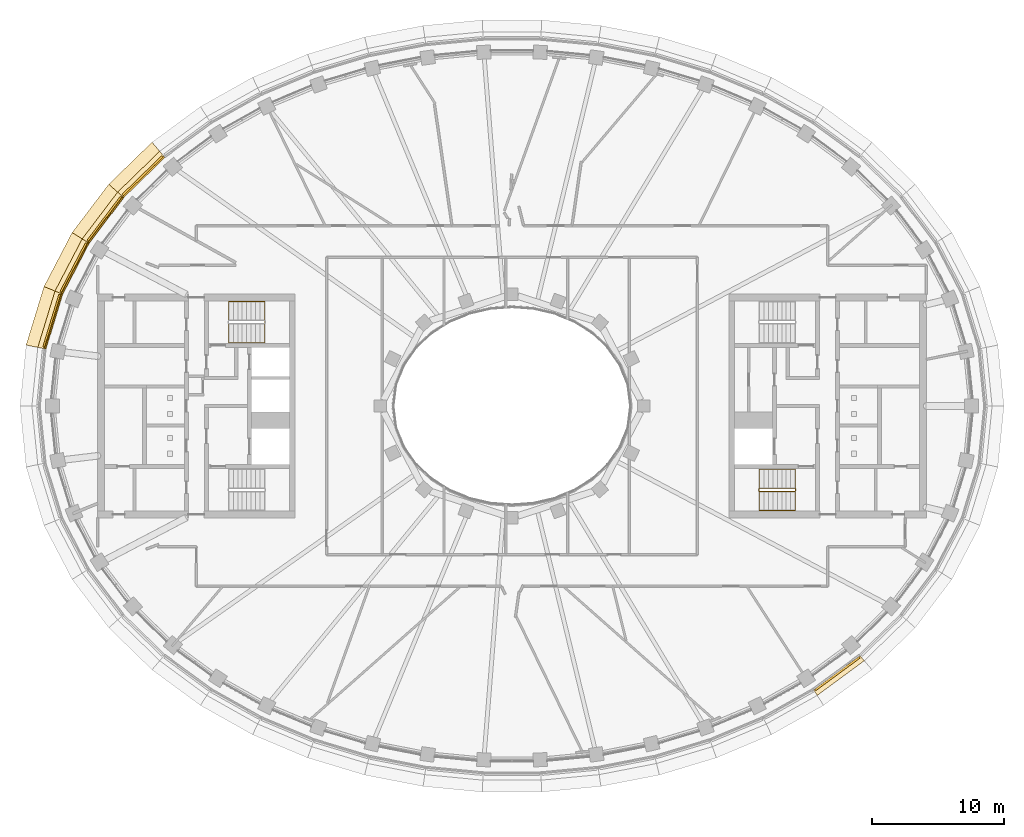
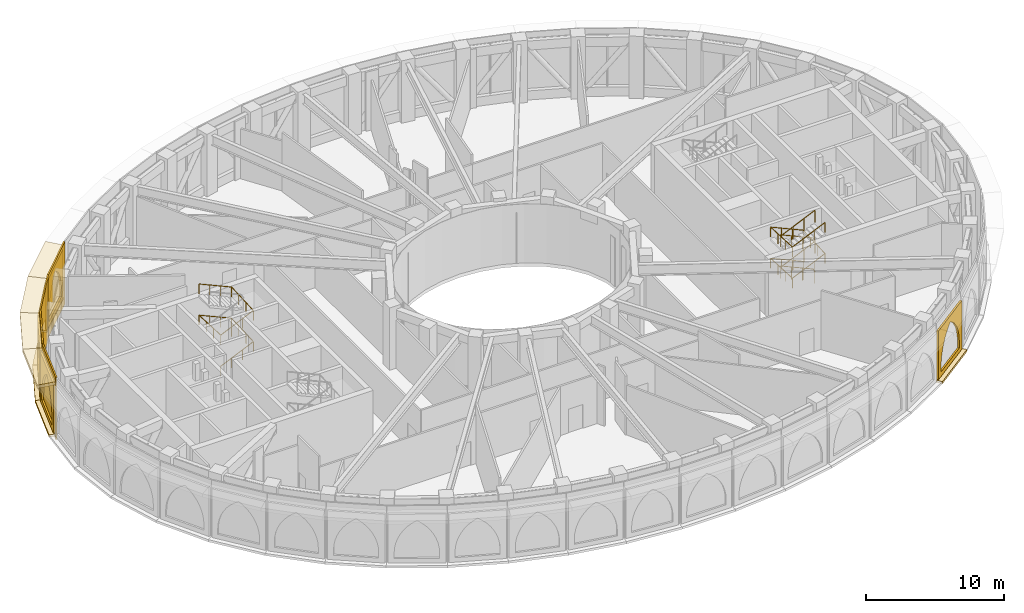
# One storey, part 20 of 23: 18 coverings, 3 railings.
"""IFC4 building model written with IfcOpenShell, lengths in metres."""

from ifc_helpers import new_model, si_unit, direction, frame, origin, origin_2d, place, context, subcontext, project, spatial, polyline, rectangle, outline, extrude, material, layer, layer_set, type_object, element, save


model = new_model("IFC4")

# Units and contexts
model_context = context("Model", 3, precision=1e-05, world=origin(), true_north=direction((0.0, 1.0)))
body_context = subcontext(model_context, "Body", "Model", "MODEL_VIEW")
ifc_project = project(units=[si_unit("LENGTHUNIT", "METRE"), si_unit("AREAUNIT", "SQUARE_METRE"), si_unit("VOLUMEUNIT", "CUBIC_METRE"), si_unit("PLANEANGLEUNIT", "RADIAN"), si_unit("MASSUNIT", "GRAM", prefix="KILO")], contexts=[model_context])

# Site, building, storey
site_placement = place(None, origin())
site = spatial("IfcSite", under=ifc_project, at=site_placement, CompositionType="ELEMENT")
building_placement = place(site_placement, origin())
building = spatial("IfcBuilding", under=site, at=building_placement, Name="Noorbagh Ring Tower", CompositionType="ELEMENT")
storey_placement = place(building_placement, frame((0.0, 0.0, 285.5)))
storey = spatial("IfcBuildingStorey", under=building, at=storey_placement, Name="L61", CompositionType="ELEMENT", Elevation=285.5)

# Railings
ifc_material_1 = material(Name="Stainless steel", Category="steel")
railing_type_1 = type_object("IfcRailingType", Name="CORE-STAIR-GUARD", PredefinedType="GUARDRAIL", material=ifc_material_1)
railing_1_placement = place(storey_placement, frame((21.580078125, -6.300048828125, 0.0)))
element("IfcRailing", 1, at=railing_1_placement, inside=storey, type_object=railing_type_1, Name="L61 ST4 stair guard", PredefinedType="GUARDRAIL", context=body_context, shape_type="SweptSolid", body=[
    extrude(rectangle(XDim=0.048095703125, YDim=0.048095703125, at=origin_2d()), frame((0.0, 0.0, 1.076171875), z_axis=(0.0, -1.0, 0.0), x_axis=(1.0, 0.0, 0.0)), (0.0, 0.0, 1.0), 0.14990234375),
    extrude(rectangle(XDim=0.048095703125, YDim=0.048095703125, at=origin_2d()), frame((0.0, -0.14990234375, 1.076171875), z_axis=(-0.195046945594, 0.779236333862, 0.595606770449), x_axis=(-0.970072785993, -0.242814311512, 0.0)), (0.0, 0.0, 1.0), 0.256591796875),
    extrude(rectangle(XDim=0.048095703125, YDim=0.048095703125, at=origin_2d()), frame((-0.050048828125, 0.050048828125, 1.22900390625), z_axis=(-0.912149621895, 0.0, 0.409857374312), x_axis=(0.0, -1.0, 0.0)), (0.0, 0.0, 1.0), 2.98193359375),
    extrude(rectangle(XDim=0.048095703125, YDim=0.048095703125, at=origin_2d()), frame((-2.77001953125, 0.050048828125, 2.451171875), z_axis=(-0.707106781187, -0.707106781187, 0.0), x_axis=(0.707106781187, -0.707106781187, 0.0)), (0.0, 0.0, 1.0), 0.07080078125),
    extrude(rectangle(XDim=0.048095703125, YDim=0.048095703125, at=origin_2d()), frame((-2.820068359375, 0.0, 2.451171875), z_axis=(0.0, -1.0, 0.0), x_axis=(1.0, 0.0, 0.0)), (0.0, 0.0, 1.0), 0.14990234375),
    extrude(rectangle(XDim=0.048095703125, YDim=0.048095703125, at=origin_2d()), frame((-2.820068359375, -0.14990234375, 2.451171875), z_axis=(0.297155754911, -0.297155754911, 0.90741220768), x_axis=(0.707106781187, 0.707106781187, 0.0)), (0.0, 0.0, 1.0), 0.16845703125),
    extrude(rectangle(XDim=0.048095703125, YDim=0.048095703125, at=origin_2d()), frame((-2.77001953125, -0.199951171875, 2.60400390625), z_axis=(0.912149621895, 0.0, 0.409857374312), x_axis=(0.0, 1.0, 0.0)), (0.0, 0.0, 1.0), 2.98193359375),
    extrude(rectangle(XDim=0.048095703125, YDim=0.048095703125, at=origin_2d()), frame((-0.050048828125, -0.199951171875, 3.826171875), z_axis=(0.242814311512, 0.970072785993, 0.0), x_axis=(-0.970072785993, 0.242814311512, 0.0)), (0.0, 0.0, 1.0), 0.2060546875),
    extrude(rectangle(XDim=0.048095703125, YDim=0.048095703125, at=origin_2d()), frame((0.0, 0.0, 3.826171875), z_axis=(0.0, -1.0, 0.0), x_axis=(1.0, 0.0, 0.0)), (0.0, 0.0, 1.0), 0.14990234375),
    extrude(rectangle(XDim=0.048095703125, YDim=0.048095703125, at=origin_2d()), frame((0.0, -0.14990234375, 3.826171875), z_axis=(-0.195046945594, 0.779236333862, 0.595606770449), x_axis=(-0.970072785993, -0.242814311512, 0.0)), (0.0, 0.0, 1.0), 0.256591796875),
    extrude(rectangle(XDim=0.048095703125, YDim=0.048095703125, at=origin_2d()), frame((-0.050048828125, 0.050048828125, 3.97900390625), z_axis=(-0.912149621895, 0.0, 0.409857374312), x_axis=(0.0, -1.0, 0.0)), (0.0, 0.0, 1.0), 2.98193359375),
    extrude(rectangle(XDim=0.048095703125, YDim=0.048095703125, at=origin_2d()), frame((-2.77001953125, 0.050048828125, 5.201171875), z_axis=(-0.707106781187, -0.707106781187, 0.0), x_axis=(0.707106781187, -0.707106781187, 0.0)), (0.0, 0.0, 1.0), 0.07080078125),
    extrude(rectangle(XDim=0.048095703125, YDim=0.048095703125, at=origin_2d()), frame((-2.820068359375, 0.0, 5.201171875), z_axis=(0.0, -1.0, 0.0), x_axis=(1.0, 0.0, 0.0)), (0.0, 0.0, 1.0), 0.14990234375),
    extrude(rectangle(XDim=0.048095703125, YDim=0.048095703125, at=origin_2d()), frame((-2.820068359375, -0.14990234375, 5.201171875), z_axis=(0.297155754911, -0.297155754911, 0.90741220768), x_axis=(0.707106781187, 0.707106781187, 0.0)), (0.0, 0.0, 1.0), 0.16845703125),
    extrude(rectangle(XDim=0.048095703125, YDim=0.048095703125, at=origin_2d()), frame((-2.77001953125, -0.199951171875, 5.35400390625), z_axis=(0.912149621895, 0.0, 0.409857374312), x_axis=(0.0, 1.0, 0.0)), (0.0, 0.0, 1.0), 2.98193359375),
    extrude(rectangle(XDim=0.0419921875, YDim=0.0419921875, at=origin_2d()), origin(), (0.0, 0.0, 1.0), 1.052001953125),
    extrude(rectangle(XDim=0.0419921875, YDim=0.0419921875, at=origin_2d()), frame((-0.956787109375, 0.050048828125, 0.560302734375)), (0.0, 0.0, 1.0), 1.052001953125),
    extrude(rectangle(XDim=0.0419921875, YDim=0.0419921875, at=origin_2d()), frame((-1.86328125, 0.050048828125, 0.967529296875)), (0.0, 0.0, 1.0), 1.052001953125),
    extrude(rectangle(XDim=0.0419921875, YDim=0.0419921875, at=origin_2d()), frame((-2.77001953125, 0.050048828125, 1.375)), (0.0, 0.0, 1.0), 1.052001953125),
    extrude(rectangle(XDim=0.0419921875, YDim=0.0419921875, at=origin_2d()), frame((-1.86328125, -0.199951171875, 1.935302734375)), (0.0, 0.0, 1.0), 1.052001953125),
    extrude(rectangle(XDim=0.0419921875, YDim=0.0419921875, at=origin_2d()), frame((-0.956787109375, -0.199951171875, 2.342529296875)), (0.0, 0.0, 1.0), 1.052001953125),
    extrude(rectangle(XDim=0.0419921875, YDim=0.0419921875, at=origin_2d()), frame((-0.050048828125, -0.199951171875, 2.75)), (0.0, 0.0, 1.0), 1.052001953125),
    extrude(rectangle(XDim=0.0419921875, YDim=0.0419921875, at=origin_2d()), frame((-0.956787109375, 0.050048828125, 3.310302734375)), (0.0, 0.0, 1.0), 1.052001953125),
    extrude(rectangle(XDim=0.0419921875, YDim=0.0419921875, at=origin_2d()), frame((-1.86328125, 0.050048828125, 3.717529296875)), (0.0, 0.0, 1.0), 1.052001953125),
    extrude(rectangle(XDim=0.0419921875, YDim=0.0419921875, at=origin_2d()), frame((-2.77001953125, 0.050048828125, 4.125)), (0.0, 0.0, 1.0), 1.052001953125),
    extrude(rectangle(XDim=0.0419921875, YDim=0.0419921875, at=origin_2d()), frame((-1.86328125, -0.199951171875, 4.685302734375)), (0.0, 0.0, 1.0), 1.052001953125),
    extrude(rectangle(XDim=0.0419921875, YDim=0.0419921875, at=origin_2d()), frame((-0.956787109375, -0.199951171875, 5.092529296875)), (0.0, 0.0, 1.0), 1.052001953125),
    extrude(rectangle(XDim=0.0419921875, YDim=0.0419921875, at=origin_2d()), frame((-0.050048828125, -0.199951171875, 5.5)), (0.0, 0.0, 1.0), 1.052001953125),
])
ifc_material_2 = material(Name="Stainless steel", Category="steel")
railing_type_2 = type_object("IfcRailingType", Name="CORE-STAIR-HANDRAIL", PredefinedType="HANDRAIL", material=ifc_material_2)
railing_2_placement = place(storey_placement, frame((-21.530029296875, 4.800048828125, 0.15283203125)))
element("IfcRailing", 2, at=railing_2_placement, inside=storey, type_object=railing_type_2, Name="L61 ST1 stair handrail", PredefinedType="HANDRAIL", context=body_context, shape_type="SweptSolid", body=[
    extrude(rectangle(XDim=0.048095703125, YDim=0.048095703125, at=origin_2d()), frame((0.0, 0.0, 0.8759765625), z_axis=(0.912149621895, 0.0, 0.409857374312), x_axis=(0.0, 1.0, 0.0)), (0.0, 0.0, 1.0), 2.98193359375),
    extrude(rectangle(XDim=0.048095703125, YDim=0.048095703125, at=origin_2d()), frame((2.719970703125, 0.0, 2.09814453125), z_axis=(0.0, 0.998824997948, 0.048462598722), x_axis=(-1.0, 0.0, 0.0)), (0.0, 0.0, 1.0), 3.153564453125),
    extrude(rectangle(XDim=0.048095703125, YDim=0.048095703125, at=origin_2d()), frame((2.719970703125, 3.14990234375, 2.2509765625), z_axis=(-0.912149621895, 0.0, 0.409857374312), x_axis=(0.0, -1.0, 0.0)), (0.0, 0.0, 1.0), 2.98193359375),
    extrude(rectangle(XDim=0.048095703125, YDim=0.048095703125, at=origin_2d()), frame((0.0, 3.14990234375, 3.47314453125), z_axis=(0.0, -0.998824997948, 0.048462598722), x_axis=(1.0, 0.0, 0.0)), (0.0, 0.0, 1.0), 3.153564453125),
    extrude(rectangle(XDim=0.048095703125, YDim=0.048095703125, at=origin_2d()), frame((0.0, 0.0, 3.6259765625), z_axis=(0.912149621895, 0.0, 0.409857374312), x_axis=(0.0, 1.0, 0.0)), (0.0, 0.0, 1.0), 2.98193359375),
    extrude(rectangle(XDim=0.048095703125, YDim=0.048095703125, at=origin_2d()), frame((2.719970703125, 0.0, 4.84814453125), z_axis=(0.0, 0.998824997948, 0.048462598722), x_axis=(-1.0, 0.0, 0.0)), (0.0, 0.0, 1.0), 3.153564453125),
    extrude(rectangle(XDim=0.048095703125, YDim=0.048095703125, at=origin_2d()), frame((2.719970703125, 3.14990234375, 5.0009765625), z_axis=(-0.912149621895, 0.0, 0.409857374312), x_axis=(0.0, -1.0, 0.0)), (0.0, 0.0, 1.0), 2.98193359375),
    extrude(rectangle(XDim=0.0419921875, YDim=0.0419921875, at=origin_2d()), origin(), (0.0, 0.0, 1.0), 0.851806640625),
    extrude(rectangle(XDim=0.0419921875, YDim=0.0419921875, at=origin_2d()), frame((0.90673828125, 0.0, 0.407470703125)), (0.0, 0.0, 1.0), 0.851806640625),
    extrude(rectangle(XDim=0.0419921875, YDim=0.0419921875, at=origin_2d()), frame((1.813232421875, 0.0, 0.814697265625)), (0.0, 0.0, 1.0), 0.851806640625),
    extrude(rectangle(XDim=0.0419921875, YDim=0.0419921875, at=origin_2d()), frame((2.719970703125, 0.0, 1.22216796875)), (0.0, 0.0, 1.0), 0.851806640625),
    extrude(rectangle(XDim=0.0419921875, YDim=0.0419921875, at=origin_2d()), frame((2.719970703125, 1.050048828125, 1.273193359375)), (0.0, 0.0, 1.0), 0.851806640625),
    extrude(rectangle(XDim=0.0419921875, YDim=0.0419921875, at=origin_2d()), frame((2.719970703125, 2.099853515625, 1.323974609375)), (0.0, 0.0, 1.0), 0.851806640625),
    extrude(rectangle(XDim=0.0419921875, YDim=0.0419921875, at=origin_2d()), frame((2.719970703125, 3.14990234375, 1.375)), (0.0, 0.0, 1.0), 0.851806640625),
    extrude(rectangle(XDim=0.0419921875, YDim=0.0419921875, at=origin_2d()), frame((1.813232421875, 3.14990234375, 1.782470703125)), (0.0, 0.0, 1.0), 0.851806640625),
    extrude(rectangle(XDim=0.0419921875, YDim=0.0419921875, at=origin_2d()), frame((0.90673828125, 3.14990234375, 2.189697265625)), (0.0, 0.0, 1.0), 0.851806640625),
    extrude(rectangle(XDim=0.0419921875, YDim=0.0419921875, at=origin_2d()), frame((0.0, 3.14990234375, 2.59716796875)), (0.0, 0.0, 1.0), 0.851806640625),
    extrude(rectangle(XDim=0.0419921875, YDim=0.0419921875, at=origin_2d()), frame((0.0, 2.099853515625, 2.648193359375)), (0.0, 0.0, 1.0), 0.851806640625),
    extrude(rectangle(XDim=0.0419921875, YDim=0.0419921875, at=origin_2d()), frame((0.0, 1.050048828125, 2.698974609375)), (0.0, 0.0, 1.0), 0.851806640625),
    extrude(rectangle(XDim=0.0419921875, YDim=0.0419921875, at=origin_2d()), frame((0.0, 0.0, 2.75)), (0.0, 0.0, 1.0), 0.851806640625),
    extrude(rectangle(XDim=0.0419921875, YDim=0.0419921875, at=origin_2d()), frame((0.90673828125, 0.0, 3.157470703125)), (0.0, 0.0, 1.0), 0.851806640625),
    extrude(rectangle(XDim=0.0419921875, YDim=0.0419921875, at=origin_2d()), frame((1.813232421875, 0.0, 3.564697265625)), (0.0, 0.0, 1.0), 0.851806640625),
    extrude(rectangle(XDim=0.0419921875, YDim=0.0419921875, at=origin_2d()), frame((2.719970703125, 0.0, 3.97216796875)), (0.0, 0.0, 1.0), 0.851806640625),
    extrude(rectangle(XDim=0.0419921875, YDim=0.0419921875, at=origin_2d()), frame((2.719970703125, 1.050048828125, 4.023193359375)), (0.0, 0.0, 1.0), 0.851806640625),
    extrude(rectangle(XDim=0.0419921875, YDim=0.0419921875, at=origin_2d()), frame((2.719970703125, 2.099853515625, 4.073974609375)), (0.0, 0.0, 1.0), 0.851806640625),
    extrude(rectangle(XDim=0.0419921875, YDim=0.0419921875, at=origin_2d()), frame((2.719970703125, 3.14990234375, 4.125)), (0.0, 0.0, 1.0), 0.851806640625),
    extrude(rectangle(XDim=0.0419921875, YDim=0.0419921875, at=origin_2d()), frame((1.813232421875, 3.14990234375, 4.532470703125)), (0.0, 0.0, 1.0), 0.851806640625),
    extrude(rectangle(XDim=0.0419921875, YDim=0.0419921875, at=origin_2d()), frame((0.90673828125, 3.14990234375, 4.939697265625)), (0.0, 0.0, 1.0), 0.851806640625),
    extrude(rectangle(XDim=0.0419921875, YDim=0.0419921875, at=origin_2d()), frame((0.0, 3.14990234375, 5.34716796875)), (0.0, 0.0, 1.0), 0.851806640625),
])
railing_3_placement = place(storey_placement, frame((21.530029296875, -4.800048828125, 0.15283203125)))
element("IfcRailing", 3, at=railing_3_placement, inside=storey, type_object=railing_type_2, Name="L61 ST4 stair handrail", PredefinedType="HANDRAIL", context=body_context, shape_type="SweptSolid", body=[
    extrude(rectangle(XDim=0.048095703125, YDim=0.048095703125, at=origin_2d()), frame((0.0, 0.0, 0.8759765625), z_axis=(-0.912149621895, 0.0, 0.409857374312), x_axis=(0.0, -1.0, 0.0)), (0.0, 0.0, 1.0), 2.98193359375),
    extrude(rectangle(XDim=0.048095703125, YDim=0.048095703125, at=origin_2d()), frame((-2.719970703125, 0.0, 2.09814453125), z_axis=(0.0, -0.998824997948, 0.048462598722), x_axis=(1.0, 0.0, 0.0)), (0.0, 0.0, 1.0), 3.153564453125),
    extrude(rectangle(XDim=0.048095703125, YDim=0.048095703125, at=origin_2d()), frame((-2.719970703125, -3.14990234375, 2.2509765625), z_axis=(0.912149621895, 0.0, 0.409857374312), x_axis=(0.0, 1.0, 0.0)), (0.0, 0.0, 1.0), 2.98193359375),
    extrude(rectangle(XDim=0.048095703125, YDim=0.048095703125, at=origin_2d()), frame((0.0, -3.14990234375, 3.47314453125), z_axis=(0.0, 0.998824997948, 0.048462598722), x_axis=(-1.0, 0.0, 0.0)), (0.0, 0.0, 1.0), 3.153564453125),
    extrude(rectangle(XDim=0.048095703125, YDim=0.048095703125, at=origin_2d()), frame((0.0, 0.0, 3.6259765625), z_axis=(-0.912149621895, 0.0, 0.409857374312), x_axis=(0.0, -1.0, 0.0)), (0.0, 0.0, 1.0), 2.98193359375),
    extrude(rectangle(XDim=0.048095703125, YDim=0.048095703125, at=origin_2d()), frame((-2.719970703125, 0.0, 4.84814453125), z_axis=(0.0, -0.998824997948, 0.048462598722), x_axis=(1.0, 0.0, 0.0)), (0.0, 0.0, 1.0), 3.153564453125),
    extrude(rectangle(XDim=0.048095703125, YDim=0.048095703125, at=origin_2d()), frame((-2.719970703125, -3.14990234375, 5.0009765625), z_axis=(0.912149621895, 0.0, 0.409857374312), x_axis=(0.0, 1.0, 0.0)), (0.0, 0.0, 1.0), 2.98193359375),
    extrude(rectangle(XDim=0.0419921875, YDim=0.0419921875, at=origin_2d()), origin(), (0.0, 0.0, 1.0), 0.851806640625),
    extrude(rectangle(XDim=0.0419921875, YDim=0.0419921875, at=origin_2d()), frame((-0.90673828125, 0.0, 0.407470703125)), (0.0, 0.0, 1.0), 0.851806640625),
    extrude(rectangle(XDim=0.0419921875, YDim=0.0419921875, at=origin_2d()), frame((-1.813232421875, 0.0, 0.814697265625)), (0.0, 0.0, 1.0), 0.851806640625),
    extrude(rectangle(XDim=0.0419921875, YDim=0.0419921875, at=origin_2d()), frame((-2.719970703125, 0.0, 1.22216796875)), (0.0, 0.0, 1.0), 0.851806640625),
    extrude(rectangle(XDim=0.0419921875, YDim=0.0419921875, at=origin_2d()), frame((-2.719970703125, -1.050048828125, 1.273193359375)), (0.0, 0.0, 1.0), 0.851806640625),
    extrude(rectangle(XDim=0.0419921875, YDim=0.0419921875, at=origin_2d()), frame((-2.719970703125, -2.099853515625, 1.323974609375)), (0.0, 0.0, 1.0), 0.851806640625),
    extrude(rectangle(XDim=0.0419921875, YDim=0.0419921875, at=origin_2d()), frame((-2.719970703125, -3.14990234375, 1.375)), (0.0, 0.0, 1.0), 0.851806640625),
    extrude(rectangle(XDim=0.0419921875, YDim=0.0419921875, at=origin_2d()), frame((-1.813232421875, -3.14990234375, 1.782470703125)), (0.0, 0.0, 1.0), 0.851806640625),
    extrude(rectangle(XDim=0.0419921875, YDim=0.0419921875, at=origin_2d()), frame((-0.90673828125, -3.14990234375, 2.189697265625)), (0.0, 0.0, 1.0), 0.851806640625),
    extrude(rectangle(XDim=0.0419921875, YDim=0.0419921875, at=origin_2d()), frame((0.0, -3.14990234375, 2.59716796875)), (0.0, 0.0, 1.0), 0.851806640625),
    extrude(rectangle(XDim=0.0419921875, YDim=0.0419921875, at=origin_2d()), frame((0.0, -2.099853515625, 2.648193359375)), (0.0, 0.0, 1.0), 0.851806640625),
    extrude(rectangle(XDim=0.0419921875, YDim=0.0419921875, at=origin_2d()), frame((0.0, -1.050048828125, 2.698974609375)), (0.0, 0.0, 1.0), 0.851806640625),
    extrude(rectangle(XDim=0.0419921875, YDim=0.0419921875, at=origin_2d()), frame((0.0, 0.0, 2.75)), (0.0, 0.0, 1.0), 0.851806640625),
    extrude(rectangle(XDim=0.0419921875, YDim=0.0419921875, at=origin_2d()), frame((-0.90673828125, 0.0, 3.157470703125)), (0.0, 0.0, 1.0), 0.851806640625),
    extrude(rectangle(XDim=0.0419921875, YDim=0.0419921875, at=origin_2d()), frame((-1.813232421875, 0.0, 3.564697265625)), (0.0, 0.0, 1.0), 0.851806640625),
    extrude(rectangle(XDim=0.0419921875, YDim=0.0419921875, at=origin_2d()), frame((-2.719970703125, 0.0, 3.97216796875)), (0.0, 0.0, 1.0), 0.851806640625),
    extrude(rectangle(XDim=0.0419921875, YDim=0.0419921875, at=origin_2d()), frame((-2.719970703125, -1.050048828125, 4.023193359375)), (0.0, 0.0, 1.0), 0.851806640625),
    extrude(rectangle(XDim=0.0419921875, YDim=0.0419921875, at=origin_2d()), frame((-2.719970703125, -2.099853515625, 4.073974609375)), (0.0, 0.0, 1.0), 0.851806640625),
    extrude(rectangle(XDim=0.0419921875, YDim=0.0419921875, at=origin_2d()), frame((-2.719970703125, -3.14990234375, 4.125)), (0.0, 0.0, 1.0), 0.851806640625),
    extrude(rectangle(XDim=0.0419921875, YDim=0.0419921875, at=origin_2d()), frame((-1.813232421875, -3.14990234375, 4.532470703125)), (0.0, 0.0, 1.0), 0.851806640625),
    extrude(rectangle(XDim=0.0419921875, YDim=0.0419921875, at=origin_2d()), frame((-0.90673828125, -3.14990234375, 4.939697265625)), (0.0, 0.0, 1.0), 0.851806640625),
    extrude(rectangle(XDim=0.0419921875, YDim=0.0419921875, at=origin_2d()), frame((0.0, -3.14990234375, 5.34716796875)), (0.0, 0.0, 1.0), 0.851806640625),
])

# Coverings
ifc_material_3 = material(Name="Aluminium 6063-T6 black anodised", Category="aluminium")
ifc_layer_1 = layer(ifc_material_3, 0.1201171875)
ifc_layer_set_1 = layer_set([ifc_layer_1], Name="Aluminium 6063-T6 black anodised")
covering_type_1 = type_object("IfcCoveringType", Name="ENV-LOUVRE-BAND", PredefinedType="CLADDING", material=ifc_layer_set_1)
covering_1_placement = place(storey_placement, frame((-27.993408203125, 17.41259765625, -0.300048828125), z_axis=(0.0, 0.0, 1.0), x_axis=(-0.717224548362, -0.696842125038, 0.0)))
element("IfcCovering", 4, at=covering_1_placement, inside=storey, type_object=covering_type_1, Name="Louvre screen chord 19", ObjectType="LOUVRE", PredefinedType="CLADDING", context=body_context, shape_type="SweptSolid", body=[
    extrude(rectangle(XDim=4.347900390625, YDim=0.1201171875, at=origin_2d()), origin(), (0.0, 0.0, 1.0), 5.5),
])
covering_2_placement = place(storey_placement, frame((-30.883544921875, 14.145263671875, -0.300048828125), z_axis=(0.0, 0.0, 1.0), x_axis=(-0.604020184358, -0.796969018776, 0.0)))
element("IfcCovering", 5, at=covering_2_placement, inside=storey, type_object=covering_type_1, Name="Louvre screen chord 20", ObjectType="LOUVRE", PredefinedType="CLADDING", context=body_context, shape_type="SweptSolid", body=[
    extrude(rectangle(XDim=4.346923828125, YDim=0.1201171875, at=origin_2d()), origin(), (0.0, 0.0, 1.0), 5.5),
])
covering_3_placement = place(storey_placement, frame((-33.21484375, 10.464111328125, -0.300048828125), z_axis=(0.0, 0.0, 1.0), x_axis=(-0.462278064231, -0.88673501754, 0.0)))
element("IfcCovering", 6, at=covering_3_placement, inside=storey, type_object=covering_type_1, Name="Louvre screen chord 21", ObjectType="LOUVRE", PredefinedType="CLADDING", context=body_context, shape_type="SweptSolid", body=[
    extrude(rectangle(XDim=4.345947265625, YDim=0.1201171875, at=origin_2d()), origin(), (0.0, 0.0, 1.0), 5.5),
])
covering_4_placement = place(storey_placement, frame((-34.86376953125, 6.436279296875, -0.300048828125), z_axis=(0.0, 0.0, 1.0), x_axis=(-0.292170066961, -0.95636637957, 0.0)))
element("IfcCovering", 7, at=covering_4_placement, inside=storey, type_object=covering_type_1, Name="Louvre screen chord 22", ObjectType="LOUVRE", PredefinedType="CLADDING", context=body_context, shape_type="SweptSolid", body=[
    extrude(rectangle(XDim=4.344970703125, YDim=0.1201171875, at=origin_2d()), origin(), (0.0, 0.0, 1.0), 5.5),
])
ifc_material_4 = material(Name="Red sandstone cladding", Category="masonry")
ifc_layer_2 = layer(ifc_material_4, 0.14990234375)
ifc_layer_set_2 = layer_set([ifc_layer_2], Name="Red sandstone cladding")
covering_type_2 = type_object("IfcCoveringType", Name="STYLE-BAND-ARCADE", PredefinedType="USERDEFINED", material=ifc_layer_set_2)
covering_5_placement = place(storey_placement, frame((-26.639404296875, 19.021240234375, 0.25), z_axis=(-0.696851724238, 0.717215221831, 0.0), x_axis=(-0.717215221831, -0.696851724238, 0.0)))
element("IfcCovering", 8, at=covering_5_placement, inside=storey, type_object=covering_type_2, Name="Blind arch bay of the band", ObjectType="ARCH", PredefinedType="USERDEFINED", context=body_context, shape_type="SweptSolid", body=[
    extrude(outline(polyline([(0.0, 0.0), (4.184326171875, 0.0), (4.184326171875, 4.300048828125), (0.0, 4.300048828125), (0.0, 0.0)]), holes=[polyline([(0.449951171875, 0.39990234375), (0.449951171875, 0.90576171875), (0.47802734375, 1.33447265625), (0.56201171875, 1.755859375), (0.699951171875, 2.16259765625), (0.889892578125, 2.548095703125), (1.128662109375, 2.9052734375), (1.411865234375, 3.228271484375), (1.73486328125, 3.511474609375), (2.092041015625, 3.75), (2.44921875, 3.511474609375), (2.772216796875, 3.228271484375), (3.0556640625, 2.9052734375), (3.294189453125, 2.548095703125), (3.484130859375, 2.16259765625), (3.622314453125, 1.755859375), (3.706298828125, 1.33447265625), (3.734130859375, 0.90576171875), (3.734130859375, 0.39990234375), (0.449951171875, 0.39990234375)])]), origin(), (0.0, 0.0, -1.0), 0.14990234375),
])
covering_6_placement = place(storey_placement, frame((-29.78759765625, 15.939208984375, 0.25), z_axis=(-0.796985737541, 0.603998124299, 0.0), x_axis=(-0.603998124299, -0.796985737541, 0.0)))
element("IfcCovering", 9, at=covering_6_placement, inside=storey, type_object=covering_type_2, Name="Blind arch bay of the band", ObjectType="ARCH", PredefinedType="USERDEFINED", context=body_context, shape_type="SweptSolid", body=[
    extrude(outline(polyline([(0.0, 0.0), (4.18359375, 0.0), (4.18359375, 4.300048828125), (0.0, 4.300048828125), (0.0, 0.0)]), holes=[polyline([(0.449951171875, 0.39990234375), (0.449951171875, 0.906494140625), (0.47802734375, 1.335205078125), (0.56201171875, 1.75634765625), (0.699951171875, 2.1630859375), (0.889892578125, 2.54833984375), (1.12841796875, 2.905517578125), (1.41162109375, 3.228271484375), (1.734619140625, 3.511474609375), (2.091796875, 3.75), (2.44873046875, 3.511474609375), (2.771728515625, 3.228271484375), (3.054931640625, 2.905517578125), (3.29345703125, 2.54833984375), (3.4833984375, 2.1630859375), (3.62158203125, 1.75634765625), (3.705322265625, 1.335205078125), (3.7333984375, 0.906494140625), (3.7333984375, 0.39990234375), (0.449951171875, 0.39990234375)])]), origin(), (0.0, 0.0, -1.0), 0.14990234375),
])
covering_7_placement = place(storey_placement, frame((-32.434326171875, 12.415283203125, 0.25), z_axis=(-0.886709716342, 0.462326593379, 0.0), x_axis=(-0.462326593379, -0.886709716342, 0.0)))
element("IfcCovering", 10, at=covering_7_placement, inside=storey, type_object=covering_type_2, Name="Blind arch bay of the band", ObjectType="ARCH", PredefinedType="USERDEFINED", context=body_context, shape_type="SweptSolid", body=[
    extrude(outline(polyline([(0.0, 0.0), (4.182373046875, 0.0), (4.182373046875, 4.300048828125), (0.0, 4.300048828125), (0.0, 0.0)]), holes=[polyline([(0.449951171875, 0.39990234375), (0.449951171875, 0.907470703125), (0.47802734375, 1.3359375), (0.561767578125, 1.757080078125), (0.699951171875, 2.16357421875), (0.8896484375, 2.548583984375), (1.12841796875, 2.90576171875), (1.411376953125, 3.228515625), (1.734130859375, 3.51171875), (2.09130859375, 3.75), (2.447998046875, 3.51171875), (2.77099609375, 3.228515625), (3.053955078125, 2.90576171875), (3.29248046875, 2.548583984375), (3.482421875, 2.16357421875), (3.62060546875, 1.757080078125), (3.7041015625, 1.3359375), (3.732421875, 0.907470703125), (3.732421875, 0.39990234375), (0.449951171875, 0.39990234375)])]), origin(), (0.0, 0.0, -1.0), 0.14990234375),
])
covering_8_placement = place(storey_placement, frame((-34.45361328125, 8.4970703125, 0.25), z_axis=(-0.956367886414, 0.292165134531, 0.0), x_axis=(-0.292165134531, -0.956367886414, 0.0)))
element("IfcCovering", 11, at=covering_8_placement, inside=storey, type_object=covering_type_2, Name="Blind arch bay of the band", ObjectType="ARCH", PredefinedType="USERDEFINED", context=body_context, shape_type="SweptSolid", body=[
    extrude(outline(polyline([(0.0, 0.0), (4.181396484375, 0.0), (4.181396484375, 4.300048828125), (0.0, 4.300048828125), (0.0, 0.0)]), holes=[polyline([(0.449951171875, 0.39990234375), (0.449951171875, 0.908447265625), (0.47802734375, 1.336669921875), (0.561767578125, 1.757568359375), (0.69970703125, 2.1640625), (0.8896484375, 2.549072265625), (1.128173828125, 2.906005859375), (1.4111328125, 3.228515625), (1.73388671875, 3.51171875), (2.0908203125, 3.75), (2.447509765625, 3.51171875), (2.770263671875, 3.228515625), (3.05322265625, 2.906005859375), (3.291748046875, 2.549072265625), (3.4814453125, 2.1640625), (3.619384765625, 1.757568359375), (3.703125, 1.336669921875), (3.731201171875, 0.908447265625), (3.731201171875, 0.39990234375), (0.449951171875, 0.39990234375)])]), origin(), (0.0, 0.0, -1.0), 0.14990234375),
])
covering_9_placement = place(storey_placement, frame((23.10205078125, -21.645263671875, 0.25), z_axis=(0.593079629262, -0.805143809114, 0.0), x_axis=(0.805143809114, 0.593079629262, 0.0)))
element("IfcCovering", 12, at=covering_9_placement, inside=storey, type_object=covering_type_2, Name="Blind arch bay of the band", ObjectType="ARCH", PredefinedType="USERDEFINED", context=body_context, shape_type="SweptSolid", body=[
    extrude(outline(polyline([(0.0, 0.0), (4.184814453125, 0.0), (4.184814453125, 4.300048828125), (0.0, 4.300048828125), (0.0, 0.0)]), holes=[polyline([(0.449951171875, 0.39990234375), (0.449951171875, 0.9052734375), (0.47802734375, 1.333984375), (0.56201171875, 1.75537109375), (0.7001953125, 2.162353515625), (0.89013671875, 2.547607421875), (1.12890625, 2.905029296875), (1.412109375, 3.22802734375), (1.735107421875, 3.511474609375), (2.092529296875, 3.75), (2.44970703125, 3.511474609375), (2.772705078125, 3.22802734375), (3.05615234375, 2.905029296875), (3.294921875, 2.547607421875), (3.48486328125, 2.162353515625), (3.623046875, 1.75537109375), (3.706787109375, 1.333984375), (3.73486328125, 0.9052734375), (3.73486328125, 0.39990234375), (0.449951171875, 0.39990234375)])]), origin(), (0.0, 0.0, -1.0), 0.14990234375),
])
ifc_material_5 = material(Name="Red sandstone eave", Category="masonry")
covering_type_3 = type_object("IfcCoveringType", Name="STYLE-BAND-EAVE", PredefinedType="USERDEFINED", material=ifc_material_5)
covering_10_placement = place(storey_placement, frame((0.0, 0.0, 4.550048828125)))
element("IfcCovering", 13, at=covering_10_placement, inside=storey, type_object=covering_type_3, Name="Chhajja eave", ObjectType="CHHAJJA", PredefinedType="USERDEFINED", context=body_context, shape_type="SweptSolid", body=[
    extrude(outline(polyline([(-26.463134765625, 18.9833984375), (-29.607666015625, 15.927978515625), (-30.6591796875, 16.8583984375), (-27.3701171875, 20.053955078125), (-26.463134765625, 18.9833984375)])), origin(), (0.0, 0.0, 1.0), 0.300048828125),
])
covering_11_placement = place(storey_placement, frame((0.0, 0.0, 4.550048828125)))
element("IfcCovering", 14, at=covering_11_placement, inside=storey, type_object=covering_type_3, Name="Chhajja eave", ObjectType="CHHAJJA", PredefinedType="USERDEFINED", context=body_context, shape_type="SweptSolid", body=[
    extrude(outline(polyline([(-29.607666015625, 15.927978515625), (-32.255126953125, 12.434814453125), (-33.442138671875, 13.186279296875), (-30.6591796875, 16.8583984375), (-29.607666015625, 15.927978515625)])), origin(), (0.0, 0.0, 1.0), 0.300048828125),
])
covering_12_placement = place(storey_placement, frame((0.0, 0.0, 4.550048828125)))
element("IfcCovering", 15, at=covering_12_placement, inside=storey, type_object=covering_type_3, Name="Chhajja eave", ObjectType="CHHAJJA", PredefinedType="USERDEFINED", context=body_context, shape_type="SweptSolid", body=[
    extrude(outline(polyline([(-32.255126953125, 12.434814453125), (-34.281005859375, 8.548828125), (-35.582275390625, 9.081298828125), (-33.442138671875, 13.186279296875), (-32.255126953125, 12.434814453125)])), origin(), (0.0, 0.0, 1.0), 0.300048828125),
])
covering_13_placement = place(storey_placement, frame((0.0, 0.0, 4.550048828125)))
element("IfcCovering", 16, at=covering_13_placement, inside=storey, type_object=covering_type_3, Name="Chhajja eave", ObjectType="CHHAJJA", PredefinedType="USERDEFINED", context=body_context, shape_type="SweptSolid", body=[
    extrude(outline(polyline([(-34.281005859375, 8.548828125), (-35.561279296875, 4.358642578125), (-36.940185546875, 4.635986328125), (-35.582275390625, 9.081298828125), (-34.281005859375, 8.548828125)])), origin(), (0.0, 0.0, 1.0), 0.300048828125),
])
ifc_material_6 = material(Name="Red sandstone eave", Category="masonry")
covering_type_4 = type_object("IfcCoveringType", Name="STYLE-BAND-SILL", PredefinedType="USERDEFINED", material=ifc_material_6)
covering_14_placement = place(storey_placement, frame((0.0, 0.0, 0.050048828125)))
element("IfcCovering", 17, at=covering_14_placement, inside=storey, type_object=covering_type_4, Name="Sill ledge", ObjectType="CHHAJJA", PredefinedType="USERDEFINED", context=body_context, shape_type="SweptSolid", body=[
    extrude(outline(polyline([(-26.463134765625, 18.9833984375), (-29.607666015625, 15.927978515625), (-29.983154296875, 16.260498046875), (-26.787109375, 19.365478515625), (-26.463134765625, 18.9833984375)])), origin(), (0.0, 0.0, 1.0), 0.199951171875),
])
covering_15_placement = place(storey_placement, frame((0.0, 0.0, 0.050048828125)))
element("IfcCovering", 18, at=covering_15_placement, inside=storey, type_object=covering_type_4, Name="Sill ledge", ObjectType="CHHAJJA", PredefinedType="USERDEFINED", context=body_context, shape_type="SweptSolid", body=[
    extrude(outline(polyline([(-29.607666015625, 15.927978515625), (-32.255126953125, 12.434814453125), (-32.67919921875, 12.703125), (-29.983154296875, 16.260498046875), (-29.607666015625, 15.927978515625)])), origin(), (0.0, 0.0, 1.0), 0.199951171875),
])
covering_16_placement = place(storey_placement, frame((0.0, 0.0, 0.050048828125)))
element("IfcCovering", 19, at=covering_16_placement, inside=storey, type_object=covering_type_4, Name="Sill ledge", ObjectType="CHHAJJA", PredefinedType="USERDEFINED", context=body_context, shape_type="SweptSolid", body=[
    extrude(outline(polyline([(-32.255126953125, 12.434814453125), (-34.281005859375, 8.548828125), (-34.745849609375, 8.739013671875), (-32.67919921875, 12.703125), (-32.255126953125, 12.434814453125)])), origin(), (0.0, 0.0, 1.0), 0.199951171875),
])
covering_17_placement = place(storey_placement, frame((0.0, 0.0, 0.050048828125)))
element("IfcCovering", 20, at=covering_17_placement, inside=storey, type_object=covering_type_4, Name="Sill ledge", ObjectType="CHHAJJA", PredefinedType="USERDEFINED", context=body_context, shape_type="SweptSolid", body=[
    extrude(outline(polyline([(-34.281005859375, 8.548828125), (-35.561279296875, 4.358642578125), (-36.0537109375, 4.457763671875), (-34.745849609375, 8.739013671875), (-34.281005859375, 8.548828125)])), origin(), (0.0, 0.0, 1.0), 0.199951171875),
])
covering_18_placement = place(storey_placement, frame((0.0, 0.0, 0.050048828125)))
element("IfcCovering", 21, at=covering_18_placement, inside=storey, type_object=covering_type_4, Name="Sill ledge", ObjectType="CHHAJJA", PredefinedType="USERDEFINED", context=body_context, shape_type="SweptSolid", body=[
    extrude(outline(polyline([(22.9326171875, -21.583740234375), (26.463134765625, -18.9833984375), (26.787109375, -19.365478515625), (23.2041015625, -22.004638671875), (22.9326171875, -21.583740234375)])), origin(), (0.0, 0.0, 1.0), 0.199951171875),
])

save(model, "model.ifc")
